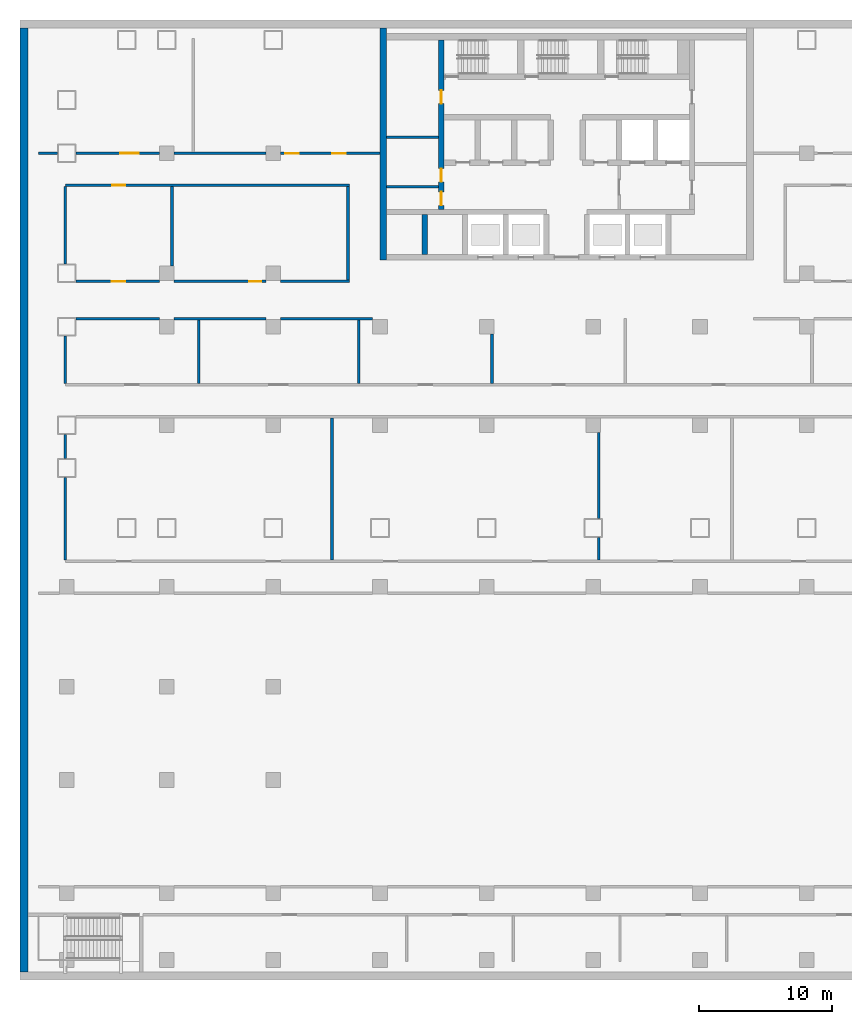
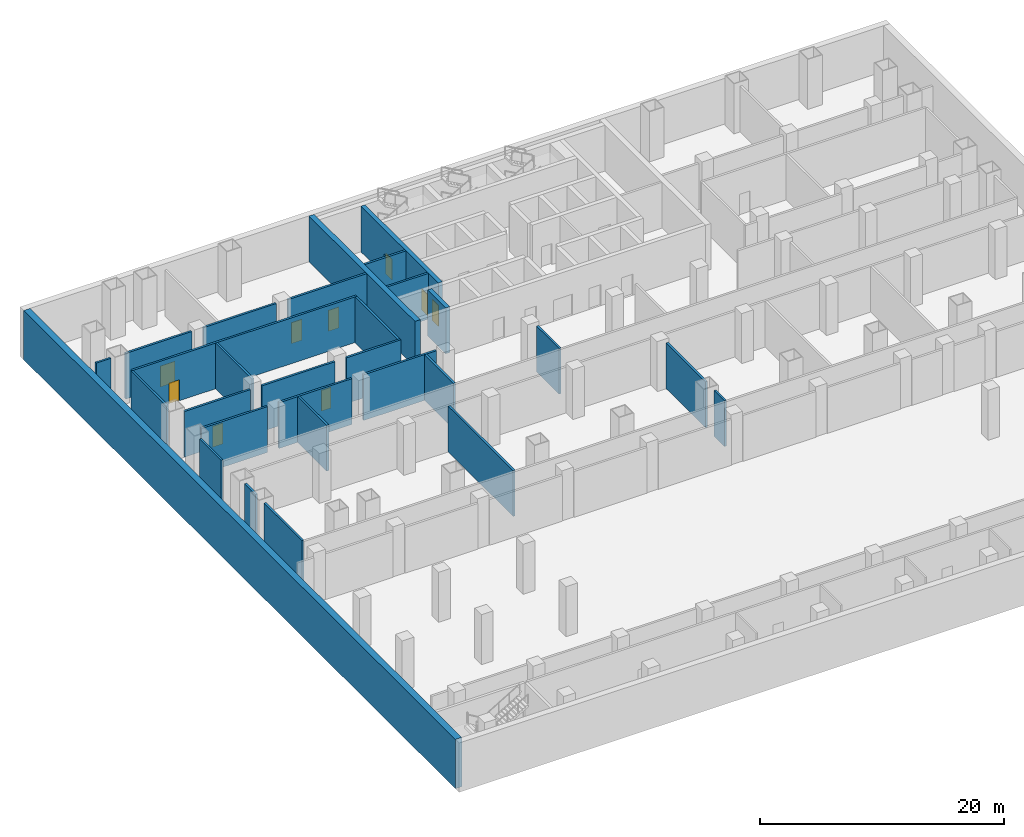
# One storey, part 4 of 12: 29 walls, 9 doors, 9 openings.
"""IFC4 building model written with IfcOpenShell, lengths in metres."""

import ifcopenshell
import ifcopenshell.guid

model = None  # the IFC model being written
_history = None  # IfcOwnerHistory: only IFC2X3 demands one
_inside = {}  # id of a spatial element -> (the spatial element, [elements in it])
_under = {}  # id of a project, library or spatial element -> (it, [spatial elements below it])
_declared = {}  # id of a project -> (the project, [libraries it declares])
_typed = {}  # id of a type object -> (the type object, [elements of that type])
_made_of = {}  # id of a material, layer set ... -> (it, [elements and type objects made of it])


def new_model(schema):
    """Start an empty IFC model of exactly this schema.

    Asked for "IFC4X3", IfcOpenShell would pick the latest addendum, in which some entities
    have other attributes; the version numbers below select the first issue.
    IFC2X3 requires an IfcOwnerHistory on every rooted entity: one is made here for all.
    """
    global model, _history
    if schema == "IFC4X3":
        model = ifcopenshell.file(schema_version=(4, 3, 0, 0))
    else:
        model = ifcopenshell.file(schema=schema)
    _inside.clear()
    _under.clear()
    _declared.clear()
    _typed.clear()
    _made_of.clear()
    _history = None
    if model.schema == "IFC2X3":
        org = make("IfcOrganization", Name="unknown")
        user = make(
            "IfcPersonAndOrganization",
            ThePerson=make("IfcPerson", FamilyName="unknown"),
            TheOrganization=org,
        )
        app = make(
            "IfcApplication",
            ApplicationDeveloper=org,
            Version="unknown",
            ApplicationFullName="unknown",
            ApplicationIdentifier="unknown",
        )
        _history = make(
            "IfcOwnerHistory",
            OwningUser=user,
            OwningApplication=app,
            ChangeAction="ADDED",
            CreationDate=0,
        )
    return model


def make(cls, **values):
    """One entity of the class cls with the attributes given. An attribute that is None is left unset."""
    return model.create_entity(
        cls, **{name: value for name, value in values.items() if value is not None}
    )


def rooted(cls, **values):
    """An entity with a GlobalId (a new one), such as an element, a storey or a relation."""
    return make(cls, GlobalId=ifcopenshell.guid.new(), OwnerHistory=_history, **values)


def si_unit(unit_type, name, prefix=None):
    """IfcSIUnit, for example si_unit("LENGTHUNIT", "METRE", prefix="MILLI")."""
    return make("IfcSIUnit", UnitType=unit_type, Prefix=prefix, Name=name)


def assignment(units):
    """IfcUnitAssignment: the units of a project."""
    return None if units is None else make("IfcUnitAssignment", Units=units)


def point(xyz):
    """IfcCartesianPoint."""
    return None if xyz is None else make("IfcCartesianPoint", Coordinates=xyz)


def direction(xyz):
    """IfcDirection."""
    return None if xyz is None else make("IfcDirection", DirectionRatios=xyz)


def frame(location, z_axis=None, x_axis=None):
    """IfcAxis2Placement3D, a coordinate frame: its origin and axes. An axis left out is left unset."""
    return make(
        "IfcAxis2Placement3D",
        Location=point(location),
        Axis=direction(z_axis),
        RefDirection=direction(x_axis),
    )


def frame_2d(location, x_axis=None):
    """IfcAxis2Placement2D, a coordinate frame in the plane: its origin and x axis."""
    return make(
        "IfcAxis2Placement2D", Location=point(location), RefDirection=direction(x_axis)
    )


def origin():
    """The frame at (0, 0, 0) with its axes left unset."""
    return frame((0.0, 0.0, 0.0))


def place(relative_to, where):
    """IfcLocalPlacement: puts the frame where relative to a parent placement (None: the world)."""
    return make(
        "IfcLocalPlacement", PlacementRelTo=relative_to, RelativePlacement=where
    )


def context(
    kind, dimensions, precision=None, world=None, true_north=None, identifier=None
):
    """IfcGeometricRepresentationContext, for example the 3D "Model" context."""
    return make(
        "IfcGeometricRepresentationContext",
        ContextIdentifier=identifier,
        ContextType=kind,
        CoordinateSpaceDimension=dimensions,
        Precision=precision,
        WorldCoordinateSystem=world,
        TrueNorth=true_north,
    )


def subcontext(parent, identifier, kind, view, scale=None):
    """IfcGeometricRepresentationSubContext, for example "Body" below "Model"."""
    return make(
        "IfcGeometricRepresentationSubContext",
        ContextIdentifier=identifier,
        ContextType=kind,
        ParentContext=parent,
        TargetScale=scale,
        TargetView=view,
    )


def project(units=None, contexts=None):
    """IfcProject with its units and contexts."""
    return rooted(
        "IfcProject",
        Name="project",
        RepresentationContexts=contexts,
        UnitsInContext=assignment(units),
    )


def spatial(cls, under=None, at=None, **own):
    """A site, building, storey or space (cls), placed at a placement, below another one or the project."""
    s = rooted(cls, ObjectPlacement=at, **own)
    if under is not None:
        _under.setdefault(under.id(), (under, []))[1].append(s)
    return s


def profile(cls, at=None, kind="AREA", **sizes):
    """A parametric profile (cls). Its sizes go by their IFC names, for example OverallWidth=200.0."""
    return make(cls, ProfileType=kind, Position=at, **sizes)


def rectangle(**sizes):
    """IfcRectangleProfileDef."""
    return profile("IfcRectangleProfileDef", **sizes)


def extrude(swept, where, along, depth):
    """IfcExtrudedAreaSolid: the profile swept, set in the frame where, extruded along a direction by depth."""
    return make(
        "IfcExtrudedAreaSolid",
        SweptArea=swept,
        Position=where,
        ExtrudedDirection=direction(along),
        Depth=depth,
    )


def shape(context_of_items, identifier, shape_type, items):
    """IfcShapeRepresentation: the items that make up one representation, for example the "Body"."""
    return make(
        "IfcShapeRepresentation",
        ContextOfItems=context_of_items,
        RepresentationIdentifier=identifier,
        RepresentationType=shape_type,
        Items=items,
    )


def material(Name=None, Category=None):
    """IfcMaterial."""
    return make("IfcMaterial", Name=Name, Category=Category)


def layer(
    of_material, thickness, ventilated=None, Name=None, Category=None, Priority=None
):
    """IfcMaterialLayer: one layer of a wall or slab, of a material (None: an air gap)."""
    return make(
        "IfcMaterialLayer",
        Material=of_material,
        LayerThickness=thickness,
        IsVentilated=ventilated,
        Name=Name,
        Category=Category,
        Priority=Priority,
    )


def layer_set(layers, Name=None):
    """IfcMaterialLayerSet."""
    return make("IfcMaterialLayerSet", MaterialLayers=layers, LayerSetName=Name)


def made_of(thing, what):
    """Note that an element or type object is made of a material, layer set ...; save() writes the relation."""
    if what is not None:
        _made_of.setdefault(what.id(), (what, []))[1].append(thing)
    return thing


def type_object(cls, material=None, **own):
    """A type object (cls), such as IfcWallType, which elements share."""
    return made_of(rooted(cls, **own), material)


def element(
    cls,
    number,
    at=None,
    inside=None,
    cuts=None,
    type_object=None,
    material=None,
    context=None,
    identifier="Body",
    shape_type=None,
    held_by="IfcProductDefinitionShape",
    body=None,
    shapes=None,
    **own,
):
    """One element of the class cls, such as IfcWall. Its Tag is "e" and its number.

    at: its placement. inside: the storey or other place that contains it. cuts: it is an
    opening in that element (IfcRelVoidsElement). A single representation is given by context,
    identifier, shape_type and body (its items); several are given by shapes. held_by: the class
    of the entity that holds the representations. save() writes the other relations.
    """
    e = rooted(cls, Tag="e%d" % number, ObjectPlacement=at, **own)
    if body is not None:
        shapes = [shape(context, identifier, shape_type, body)]
    if shapes is not None:
        e.Representation = make(held_by, Representations=shapes)
    if inside is not None:
        _inside.setdefault(inside.id(), (inside, []))[1].append(e)
    if cuts is not None:
        rooted(
            "IfcRelVoidsElement", RelatingBuildingElement=cuts, RelatedOpeningElement=e
        )
    if type_object is not None:
        _typed.setdefault(type_object.id(), (type_object, []))[1].append(e)
    return made_of(e, material)


def fill(opening, filler):
    """IfcRelFillsElement: the door or window that sits in an opening."""
    return rooted(
        "IfcRelFillsElement",
        RelatingOpeningElement=opening,
        RelatedBuildingElement=filler,
    )


def aggregate(whole, parts):
    """IfcRelAggregates: a whole, such as a stair, and the parts it consists of."""
    return rooted("IfcRelAggregates", RelatingObject=whole, RelatedObjects=parts)


def save(model, path):
    """Write the relations noted so far, then the file.

    IfcRelAggregates (storeys below a building ...), IfcRelContainedInSpatialStructure (elements
    in a storey), IfcRelDefinesByType, IfcRelAssociatesMaterial and IfcRelDeclares: one each for
    every whole, place, type object, material and project.
    """
    for whole, parts in _under.values():
        aggregate(whole, parts)
    for where, things in _inside.values():
        rooted(
            "IfcRelContainedInSpatialStructure",
            RelatedElements=things,
            RelatingStructure=where,
        )
    for kind, things in _typed.values():
        rooted("IfcRelDefinesByType", RelatedObjects=things, RelatingType=kind)
    for what, things in _made_of.values():
        rooted("IfcRelAssociatesMaterial", RelatedObjects=things, RelatingMaterial=what)
    for by, libraries in _declared.values():
        rooted("IfcRelDeclares", RelatingContext=by, RelatedDefinitions=libraries)
    model.write(path)


model = new_model("IFC4")

# Units and contexts
model_context = context("Model", 3, precision=1e-05, world=origin(), true_north=direction((0.0, 1.0)))
body_context = subcontext(model_context, "Body", "Model", "MODEL_VIEW")
ifc_project = project(units=[si_unit("LENGTHUNIT", "METRE"), si_unit("AREAUNIT", "SQUARE_METRE"), si_unit("VOLUMEUNIT", "CUBIC_METRE"), si_unit("PLANEANGLEUNIT", "RADIAN"), si_unit("MASSUNIT", "GRAM", prefix="KILO")], contexts=[model_context])

# Site, building, storey
site_placement = place(None, origin())
site = spatial("IfcSite", under=ifc_project, at=site_placement, CompositionType="ELEMENT")
building_placement = place(site_placement, origin())
building = spatial("IfcBuilding", under=site, at=building_placement, Name="Vidyagriha Tower", CompositionType="ELEMENT")
storey_placement = place(building_placement, frame((0.0, 0.0, -5.0)))
storey = spatial("IfcBuildingStorey", under=building, at=storey_placement, Name="B1", CompositionType="ELEMENT", Elevation=-5.0)

# Wall
ifc_material_1 = material(Name="Concrete C50/60", Category="concrete")
ifc_layer_1 = layer(ifc_material_1, 0.60009765625)
ifc_layer_set_1 = layer_set([ifc_layer_1], Name="Concrete C50/60")
wall_type_1 = type_object("IfcWallType", Name="Basement retaining wall 600", PredefinedType="SOLIDWALL", material=ifc_layer_set_1)
wall_1_placement = place(storey_placement, frame((-40.699951171875, -50.39990234375, -0.35009765625), z_axis=(0.0, 0.0, 1.0), x_axis=(0.0, 1.0, 0.0)))
element("IfcWall", 1, at=wall_1_placement, inside=storey, type_object=wall_type_1, Name="st-retwall-B1-w", PredefinedType="SOLIDWALL", context=body_context, shape_type="SweptSolid", body=[
    extrude(rectangle(XDim=70.7998046875, YDim=0.60009765625, at=frame_2d((35.39990234375, 0.0))), origin(), (0.0, 0.0, 1.0), 4.93017578125),
])

# Wall, openings, doors
ifc_material_2 = material(Name="Concrete C60/75", Category="concrete")
ifc_layer_2 = layer(ifc_material_2, 0.39990234375)
ifc_layer_set_2 = layer_set([ifc_layer_2], Name="Concrete C60/75")
wall_type_2 = type_object("IfcWallType", Name="Core shear wall 400 mm", PredefinedType="SHEAR", material=ifc_layer_set_2)
wall_2_placement = place(storey_placement, frame((-9.39990234375, 6.800048828125, 0.0), z_axis=(0.0, 0.0, 1.0), x_axis=(0.0, 1.0, 0.0)))
wall_2 = element("IfcWall", 2, at=wall_2_placement, inside=storey, type_object=wall_type_2, Name="Core west spine wall", PredefinedType="SHEAR", context=body_context, shape_type="SweptSolid", body=[
    extrude(rectangle(XDim=12.699951171875, YDim=0.39990234375, at=frame_2d((6.35009765625, 0.0))), origin(), (0.0, 0.0, 1.0), 4.580078125),
])
opening_1_placement = place(wall_2_placement, frame((0.300048828125, 0.0, 0.0)))
opening_1 = element("IfcOpeningElement", 3, at=opening_1_placement, cuts=wall_2, Name="Opening DB1-10", PredefinedType="OPENING", context=body_context, shape_type="SweptSolid", body=[
    extrude(rectangle(XDim=1.0, YDim=2.10009765625, at=frame_2d((0.5, 1.050048828125))), frame((0.0, 0.2099609375, 0.0), z_axis=(0.0, -1.0, 0.0), x_axis=(1.0, 0.0, 0.0)), (0.0, 0.0, 1.0), 0.419921875),
])
opening_2_placement = place(wall_2_placement, frame((2.050048828125, 0.0, 0.0)))
opening_2 = element("IfcOpeningElement", 4, at=opening_2_placement, cuts=wall_2, Name="Opening DB1-11", PredefinedType="OPENING", context=body_context, shape_type="SweptSolid", body=[
    extrude(rectangle(XDim=1.0, YDim=2.10009765625, at=frame_2d((0.5, 1.050048828125))), frame((0.0, 0.2099609375, 0.0), z_axis=(0.0, -1.0, 0.0), x_axis=(1.0, 0.0, 0.0)), (0.0, 0.0, 1.0), 0.419921875),
])
opening_3_placement = place(wall_2_placement, frame((7.925048828125, 0.0, 0.0)))
opening_3 = element("IfcOpeningElement", 5, at=opening_3_placement, cuts=wall_2, Name="Opening DB1-12", PredefinedType="OPENING", context=body_context, shape_type="SweptSolid", body=[
    extrude(rectangle(XDim=1.0, YDim=2.10009765625, at=frame_2d((0.5, 1.050048828125))), frame((0.0, 0.2099609375, 0.0), z_axis=(0.0, -1.0, 0.0), x_axis=(1.0, 0.0, 0.0)), (0.0, 0.0, 1.0), 0.419921875),
])
ifc_material_3 = material(Name="Hollow metal door leaf")
door_type_1 = type_object("IfcDoorType", Name="Core room door 1000 x 2100 mm EI 60", OperationType="NOTDEFINED", PredefinedType="DOOR", material=ifc_material_3)
door_1_placement = place(opening_1_placement, frame((1.0, 0.0, 0.0), z_axis=(0.0, 0.0, 1.0), x_axis=(-1.0, 0.0, 0.0)))
door_1 = element("IfcDoor", 6, at=door_1_placement, inside=storey, type_object=door_type_1, Name="Door Communications Room B1.W1", OperationType="SINGLE_SWING_RIGHT", OverallHeight=2.10009765625, OverallWidth=1.0, PredefinedType="DOOR", context=body_context, shape_type="SweptSolid", body=[
    extrude(rectangle(XDim=1.0, YDim=2.10009765625, at=frame_2d((0.5, 1.050048828125))), frame((0.0, 0.02490234375, 0.0), z_axis=(0.0, -1.0, 0.0), x_axis=(1.0, 0.0, 0.0)), (0.0, 0.0, 1.0), 0.050048828125),
])
fill(opening_1, door_1)
door_2_placement = place(opening_2_placement, frame((1.0, 0.0, 0.0), z_axis=(0.0, 0.0, 1.0), x_axis=(-1.0, 0.0, 0.0)))
door_2 = element("IfcDoor", 7, at=door_2_placement, inside=storey, type_object=door_type_1, Name="Door Pressurisation Plant Room B1.W2", OperationType="SINGLE_SWING_LEFT", OverallHeight=2.10009765625, OverallWidth=1.0, PredefinedType="DOOR", context=body_context, shape_type="SweptSolid", body=[
    extrude(rectangle(XDim=1.0, YDim=2.10009765625, at=frame_2d((0.5, 1.050048828125))), frame((0.0, 0.02490234375, 0.0), z_axis=(0.0, -1.0, 0.0), x_axis=(1.0, 0.0, 0.0)), (0.0, 0.0, 1.0), 0.050048828125),
])
fill(opening_2, door_2)
door_3_placement = place(opening_3_placement, frame((1.0, 0.0, 0.0), z_axis=(0.0, 0.0, 1.0), x_axis=(-1.0, 0.0, 0.0)))
door_3 = element("IfcDoor", 8, at=door_3_placement, inside=storey, type_object=door_type_1, Name="Door Switchgear Room B1.W3", OperationType="SINGLE_SWING_LEFT", OverallHeight=2.10009765625, OverallWidth=1.0, PredefinedType="DOOR", context=body_context, shape_type="SweptSolid", body=[
    extrude(rectangle(XDim=1.0, YDim=2.10009765625, at=frame_2d((0.5, 1.050048828125))), frame((0.0, 0.02490234375, 0.0), z_axis=(0.0, -1.0, 0.0), x_axis=(1.0, 0.0, 0.0)), (0.0, 0.0, 1.0), 0.050048828125),
])
fill(opening_3, door_3)

# Walls
wall_3_placement = place(storey_placement, frame((-10.655517578125, 3.39990234375, 0.0), z_axis=(0.0, 0.0, 1.0), x_axis=(0.0, 1.0, 0.0)))
element("IfcWall", 9, at=wall_3_placement, inside=storey, type_object=wall_type_2, Name="Core bay wall S1", PredefinedType="SHEAR", context=body_context, shape_type="SweptSolid", body=[
    extrude(rectangle(XDim=3.0, YDim=0.39990234375, at=frame_2d((1.5, 0.0))), origin(), (0.0, 0.0, 1.0), 4.580078125),
])
ifc_material_4 = material(Name="Concrete C60/75", Category="concrete")
ifc_layer_3 = layer(ifc_material_4, 0.5)
ifc_layer_set_3 = layer_set([ifc_layer_3], Name="Concrete C60/75")
wall_type_3 = type_object("IfcWallType", Name="Core shear wall 500 mm", PredefinedType="SHEAR", material=ifc_layer_set_3)
wall_4_placement = place(storey_placement, frame((-13.75, 3.0, 0.0), z_axis=(0.0, 0.0, 1.0), x_axis=(0.0, 1.0, 0.0)))
element("IfcWall", 10, at=wall_4_placement, inside=storey, type_object=wall_type_3, Name="Core west wall", PredefinedType="SHEAR", context=body_context, shape_type="SweptSolid", body=[
    extrude(rectangle(XDim=17.39990234375, YDim=0.5, at=frame_2d((8.699951171875, 0.0))), origin(), (0.0, 0.0, 1.0), 4.580078125),
])
ifc_material_5 = material(Name="Fire rated gypsum board on light gauge framing")
ifc_layer_4 = layer(ifc_material_5, 0.199951171875)
ifc_layer_set_4 = layer_set([ifc_layer_4], Name="Fire rated gypsum board on light gauge framing")
wall_type_4 = type_object("IfcWallType", Name="Fire Rated Corridor Wall 200", PredefinedType="PARTITIONING", material=ifc_layer_set_4)
wall_5_placement = place(storey_placement, frame((-36.800048828125, -1.39990234375, 0.0)))
element("IfcWall", 11, at=wall_5_placement, inside=storey, type_object=wall_type_4, Name="B1 Fire Rated Corridor Wall 200 032", PredefinedType="PARTITIONING", context=body_context, shape_type="SweptSolid", body=[
    extrude(rectangle(XDim=6.25, YDim=0.199951171875, at=frame_2d((3.125, 0.0))), origin(), (0.0, 0.0, 1.0), 4.580078125),
])
for number, where, name in (
    (12, (-29.449951171875, -1.39990234375, 0.0), "B1 Fire Rated Corridor Wall 200 033"),
    (13, (-21.449951171875, -1.39990234375, 0.0), "B1 Fire Rated Corridor Wall 200 034"),
):
    element("IfcWall", number, at=place(storey_placement, frame(where)), inside=storey, type_object=wall_type_4, Name=name, PredefinedType="PARTITIONING", context=body_context, shape_type="SweptSolid", body=[
        extrude(rectangle(XDim=6.89990234375, YDim=0.199951171875, at=frame_2d((3.449951171875, 0.0))), origin(), (0.0, 0.0, 1.0), 4.580078125),
    ])

# Wall, opening, door
wall_6_placement = place(storey_placement, frame((-36.800048828125, 1.39990234375, 0.0)))
wall_6 = element("IfcWall", 14, at=wall_6_placement, inside=storey, type_object=wall_type_4, Name="B1 Fire Rated Corridor Wall 200 039", PredefinedType="PARTITIONING", context=body_context, shape_type="SweptSolid", body=[
    extrude(rectangle(XDim=6.25, YDim=0.199951171875, at=frame_2d((3.125, 0.0))), origin(), (0.0, 0.0, 1.0), 4.580078125),
])
opening_4_placement = place(wall_6_placement, frame((2.699951171875, 0.0, 0.0)))
opening_4 = element("IfcOpeningElement", 15, at=opening_4_placement, cuts=wall_6, Name="Opening DB1-32", PredefinedType="OPENING", context=body_context, shape_type="SweptSolid", body=[
    extrude(rectangle(XDim=1.0, YDim=2.10009765625, at=frame_2d((0.5, 1.050048828125))), frame((0.0, 0.10986328125, 0.0), z_axis=(0.0, -1.0, 0.0), x_axis=(1.0, 0.0, 0.0)), (0.0, 0.0, 1.0), 0.219970703125),
])
ifc_material_6 = material(Name="Steel fire door set", Category="steel")
door_type_2 = type_object("IfcDoorType", Name="Podium Door 1000x2100 EI 60", OperationType="NOTDEFINED", PredefinedType="DOOR", material=ifc_material_6)
door_4_placement = place(opening_4_placement, origin())
door_4 = element("IfcDoor", 16, at=door_4_placement, inside=storey, type_object=door_type_2, Name="B1 door DB1-32", OperationType="SINGLE_SWING_RIGHT", OverallHeight=2.10009765625, OverallWidth=1.0, PredefinedType="DOOR", context=body_context, shape_type="SweptSolid", body=[
    extrude(rectangle(XDim=1.0, YDim=2.10009765625, at=frame_2d((0.5, 1.050048828125))), frame((0.0, 0.02490234375, 0.0), z_axis=(0.0, -1.0, 0.0), x_axis=(1.0, 0.0, 0.0)), (0.0, 0.0, 1.0), 0.050048828125),
])
fill(opening_4, door_4)

wall_7_placement = place(storey_placement, frame((-29.449951171875, 1.39990234375, 0.0)))
wall_7 = element("IfcWall", 17, at=wall_7_placement, inside=storey, type_object=wall_type_4, Name="B1 Fire Rated Corridor Wall 200 040", PredefinedType="PARTITIONING", context=body_context, shape_type="SweptSolid", body=[
    extrude(rectangle(XDim=6.89990234375, YDim=0.199951171875, at=frame_2d((3.449951171875, 0.0))), origin(), (0.0, 0.0, 1.0), 4.580078125),
])
opening_5_placement = place(wall_7_placement, frame((5.64990234375, 0.0, 0.0)))
opening_5 = element("IfcOpeningElement", 18, at=opening_5_placement, cuts=wall_7, Name="Opening DB1-34", PredefinedType="OPENING", context=body_context, shape_type="SweptSolid", body=[
    extrude(rectangle(XDim=0.89990234375, YDim=2.10009765625, at=frame_2d((0.449951171875, 1.050048828125))), frame((0.0, 0.10986328125, 0.0), z_axis=(0.0, -1.0, 0.0), x_axis=(1.0, 0.0, 0.0)), (0.0, 0.0, 1.0), 0.219970703125),
])
ifc_material_7 = material(Name="Steel fire door set", Category="steel")
door_type_3 = type_object("IfcDoorType", Name="Podium Door 900x2100 EI 30", OperationType="NOTDEFINED", PredefinedType="DOOR", material=ifc_material_7)
door_5_placement = place(opening_5_placement, origin())
door_5 = element("IfcDoor", 19, at=door_5_placement, inside=storey, type_object=door_type_3, Name="B1 door DB1-34", OperationType="SINGLE_SWING_RIGHT", OverallHeight=2.10009765625, OverallWidth=0.89990234375, PredefinedType="DOOR", context=body_context, shape_type="SweptSolid", body=[
    extrude(rectangle(XDim=0.89990234375, YDim=2.10009765625, at=frame_2d((0.449951171875, 1.050048828125))), frame((0.0, 0.02490234375, 0.0), z_axis=(0.0, -1.0, 0.0), x_axis=(1.0, 0.0, 0.0)), (0.0, 0.0, 1.0), 0.050048828125),
])
fill(opening_5, door_5)

# Wall
wall_8_placement = place(storey_placement, frame((-21.449951171875, 1.39990234375, 0.0)))
element("IfcWall", 20, at=wall_8_placement, inside=storey, type_object=wall_type_4, Name="B1 Fire Rated Corridor Wall 200 041", PredefinedType="PARTITIONING", context=body_context, shape_type="SweptSolid", body=[
    extrude(rectangle(XDim=5.14990234375, YDim=0.199951171875, at=frame_2d((2.574951171875, 0.0))), origin(), (0.0, 0.0, 1.0), 4.580078125),
])

# Wall, opening, door
wall_9_placement = place(storey_placement, frame((-37.599853515625, 8.60009765625, 0.0)))
wall_9 = element("IfcWall", 21, at=wall_9_placement, inside=storey, type_object=wall_type_4, Name="B1 Fire Rated Corridor Wall 200 046", PredefinedType="PARTITIONING", context=body_context, shape_type="SweptSolid", body=[
    extrude(rectangle(XDim=21.2998046875, YDim=0.199951171875, at=frame_2d((10.64990234375, 0.0))), origin(), (0.0, 0.0, 1.0), 4.580078125),
])
opening_6_placement = place(wall_9_placement, frame((3.5, 0.0, 0.0)))
opening_6 = element("IfcOpeningElement", 22, at=opening_6_placement, cuts=wall_9, Name="Opening DB1-33", PredefinedType="OPENING", context=body_context, shape_type="SweptSolid", body=[
    extrude(rectangle(XDim=1.0, YDim=2.10009765625, at=frame_2d((0.5, 1.050048828125))), frame((0.0, 0.10986328125, 0.0), z_axis=(0.0, -1.0, 0.0), x_axis=(1.0, 0.0, 0.0)), (0.0, 0.0, 1.0), 0.219970703125),
])
door_6_placement = place(opening_6_placement, frame((1.0, 0.0, 0.0), z_axis=(0.0, 0.0, 1.0), x_axis=(-1.0, 0.0, 0.0)))
door_6 = element("IfcDoor", 23, at=door_6_placement, inside=storey, type_object=door_type_2, Name="B1 door DB1-33", OperationType="SINGLE_SWING_LEFT", OverallHeight=2.10009765625, OverallWidth=1.0, PredefinedType="DOOR", context=body_context, shape_type="SweptSolid", body=[
    extrude(rectangle(XDim=1.0, YDim=2.10009765625, at=frame_2d((0.5, 1.050048828125))), frame((0.0, 0.02490234375, 0.0), z_axis=(0.0, -1.0, 0.0), x_axis=(1.0, 0.0, 0.0)), (0.0, 0.0, 1.0), 0.050048828125),
])
fill(opening_6, door_6)

# Wall
wall_10_placement = place(storey_placement, frame((-39.60009765625, 11.0, 0.0)))
element("IfcWall", 24, at=wall_10_placement, inside=storey, type_object=wall_type_4, Name="B1 Fire Rated Corridor Wall 200 048", PredefinedType="PARTITIONING", context=body_context, shape_type="SweptSolid", body=[
    extrude(rectangle(XDim=1.400146484375, YDim=0.199951171875, at=frame_2d((0.7001953125, 0.0))), origin(), (0.0, 0.0, 1.0), 4.580078125),
])

# Wall, opening, door
wall_11_placement = place(storey_placement, frame((-36.800048828125, 11.0, 0.0)))
wall_11 = element("IfcWall", 25, at=wall_11_placement, inside=storey, type_object=wall_type_4, Name="B1 Fire Rated Corridor Wall 200 049", PredefinedType="PARTITIONING", context=body_context, shape_type="SweptSolid", body=[
    extrude(rectangle(XDim=6.25, YDim=0.199951171875, at=frame_2d((3.125, 0.0))), origin(), (0.0, 0.0, 1.0), 4.580078125),
])
opening_7_placement = place(wall_11_placement, frame((3.300048828125, 0.0, 0.0)))
opening_7 = element("IfcOpeningElement", 26, at=opening_7_placement, cuts=wall_11, Name="Opening DB1-38", PredefinedType="OPENING", context=body_context, shape_type="SweptSolid", body=[
    extrude(rectangle(XDim=1.39990234375, YDim=2.10009765625, at=frame_2d((0.699951171875, 1.050048828125))), frame((0.0, 0.10986328125, 0.0), z_axis=(0.0, -1.0, 0.0), x_axis=(1.0, 0.0, 0.0)), (0.0, 0.0, 1.0), 0.219970703125),
])
ifc_material_8 = material(Name="Steel fire door set", Category="steel")
door_type_4 = type_object("IfcDoorType", Name="Podium Door 1400x2100 EI 60 Pair", OperationType="NOTDEFINED", PredefinedType="DOOR", material=ifc_material_8)
door_7_placement = place(opening_7_placement, frame((1.39990234375, 0.0, 0.0), z_axis=(0.0, 0.0, 1.0), x_axis=(-1.0, 0.0, 0.0)))
door_7 = element("IfcDoor", 27, at=door_7_placement, inside=storey, type_object=door_type_4, Name="B1 door DB1-38", OperationType="DOUBLE_DOOR_SINGLE_SWING", OverallHeight=2.10009765625, OverallWidth=1.39990234375, PredefinedType="DOOR", context=body_context, shape_type="SweptSolid", body=[
    extrude(rectangle(XDim=1.39990234375, YDim=2.10009765625, at=frame_2d((0.699951171875, 1.050048828125))), frame((0.0, 0.02490234375, 0.0), z_axis=(0.0, -1.0, 0.0), x_axis=(1.0, 0.0, 0.0)), (0.0, 0.0, 1.0), 0.050048828125),
])
fill(opening_7, door_7)

# Wall
wall_12_placement = place(storey_placement, frame((-29.449951171875, 11.0, 0.0)))
element("IfcWall", 28, at=wall_12_placement, inside=storey, type_object=wall_type_4, Name="B1 Fire Rated Corridor Wall 200 050", PredefinedType="PARTITIONING", context=body_context, shape_type="SweptSolid", body=[
    extrude(rectangle(XDim=6.89990234375, YDim=0.199951171875, at=frame_2d((3.449951171875, 0.0))), origin(), (0.0, 0.0, 1.0), 4.580078125),
])

# Wall, openings, doors
wall_13_placement = place(storey_placement, frame((-21.449951171875, 11.0, 0.0)))
wall_13 = element("IfcWall", 29, at=wall_13_placement, inside=storey, type_object=wall_type_4, Name="B1 Fire Rated Corridor Wall 200 051", PredefinedType="PARTITIONING", context=body_context, shape_type="SweptSolid", body=[
    extrude(rectangle(XDim=7.449951171875, YDim=0.199951171875, at=frame_2d((3.72509765625, 0.0))), origin(), (0.0, 0.0, 1.0), 4.580078125),
])
opening_8_placement = place(wall_13_placement, frame((0.35009765625, 0.0, 0.0)))
opening_8 = element("IfcOpeningElement", 30, at=opening_8_placement, cuts=wall_13, Name="Opening DB1-39", PredefinedType="OPENING", context=body_context, shape_type="SweptSolid", body=[
    extrude(rectangle(XDim=1.0, YDim=2.10009765625, at=frame_2d((0.5, 1.050048828125))), frame((0.0, 0.10986328125, 0.0), z_axis=(0.0, -1.0, 0.0), x_axis=(1.0, 0.0, 0.0)), (0.0, 0.0, 1.0), 0.219970703125),
])
opening_9_placement = place(wall_13_placement, frame((3.8701171875, 0.0, 0.0)))
opening_9 = element("IfcOpeningElement", 31, at=opening_9_placement, cuts=wall_13, Name="Opening DB1-40", PredefinedType="OPENING", context=body_context, shape_type="SweptSolid", body=[
    extrude(rectangle(XDim=1.0, YDim=2.10009765625, at=frame_2d((0.5, 1.050048828125))), frame((0.0, 0.10986328125, 0.0), z_axis=(0.0, -1.0, 0.0), x_axis=(1.0, 0.0, 0.0)), (0.0, 0.0, 1.0), 0.219970703125),
])
door_8_placement = place(opening_8_placement, origin())
door_8 = element("IfcDoor", 32, at=door_8_placement, inside=storey, type_object=door_type_2, Name="B1 door DB1-39", OperationType="SINGLE_SWING_LEFT", OverallHeight=2.10009765625, OverallWidth=1.0, PredefinedType="DOOR", context=body_context, shape_type="SweptSolid", body=[
    extrude(rectangle(XDim=1.0, YDim=2.10009765625, at=frame_2d((0.5, 1.050048828125))), frame((0.0, 0.02490234375, 0.0), z_axis=(0.0, -1.0, 0.0), x_axis=(1.0, 0.0, 0.0)), (0.0, 0.0, 1.0), 0.050048828125),
])
fill(opening_8, door_8)
door_9_placement = place(opening_9_placement, origin())
door_9 = element("IfcDoor", 33, at=door_9_placement, inside=storey, type_object=door_type_2, Name="B1 door DB1-40", OperationType="SINGLE_SWING_RIGHT", OverallHeight=2.10009765625, OverallWidth=1.0, PredefinedType="DOOR", context=body_context, shape_type="SweptSolid", body=[
    extrude(rectangle(XDim=1.0, YDim=2.10009765625, at=frame_2d((0.5, 1.050048828125))), frame((0.0, 0.02490234375, 0.0), z_axis=(0.0, -1.0, 0.0), x_axis=(1.0, 0.0, 0.0)), (0.0, 0.0, 1.0), 0.050048828125),
])
fill(opening_9, door_9)

# Walls
wall_14_placement = place(storey_placement, frame((-37.60009765625, -19.5, 0.0), z_axis=(0.0, 0.0, 1.0), x_axis=(0.0, 1.0, 0.0)))
element("IfcWall", 34, at=wall_14_placement, inside=storey, type_object=wall_type_4, Name="B1 Fire Rated Corridor Wall 200 057", PredefinedType="PARTITIONING", context=body_context, shape_type="SweptSolid", body=[
    extrude(rectangle(XDim=6.199951171875, YDim=0.199951171875, at=frame_2d((3.10009765625, 0.0))), origin(), (0.0, 0.0, 1.0), 4.580078125),
])
wall_15_placement = place(storey_placement, frame((-37.60009765625, -11.89990234375, 0.0), z_axis=(0.0, 0.0, 1.0), x_axis=(0.0, 1.0, 0.0)))
element("IfcWall", 35, at=wall_15_placement, inside=storey, type_object=wall_type_4, Name="B1 Fire Rated Corridor Wall 200 058", PredefinedType="PARTITIONING", context=body_context, shape_type="SweptSolid", body=[
    extrude(rectangle(XDim=1.7998046875, YDim=0.199951171875, at=frame_2d((0.89990234375, 0.0))), origin(), (0.0, 0.0, 1.0), 4.580078125),
])
wall_16_placement = place(storey_placement, frame((-37.60009765625, -6.25, 0.0), z_axis=(0.0, 0.0, 1.0), x_axis=(0.0, 1.0, 0.0)))
element("IfcWall", 36, at=wall_16_placement, inside=storey, type_object=wall_type_4, Name="B1 Fire Rated Corridor Wall 200 059", PredefinedType="PARTITIONING", context=body_context, shape_type="SweptSolid", body=[
    extrude(rectangle(XDim=3.550048828125, YDim=0.199951171875, at=frame_2d((1.77490234375, 0.0))), origin(), (0.0, 0.0, 1.0), 4.580078125),
])
wall_17_placement = place(storey_placement, frame((-37.60009765625, 2.699951171875, 0.0), z_axis=(0.0, 0.0, 1.0), x_axis=(0.0, 1.0, 0.0)))
element("IfcWall", 37, at=wall_17_placement, inside=storey, type_object=wall_type_4, Name="B1 Fire Rated Corridor Wall 200 060", PredefinedType="PARTITIONING", context=body_context, shape_type="SweptSolid", body=[
    extrude(rectangle(XDim=5.800048828125, YDim=0.199951171875, at=frame_2d((2.89990234375, 0.0))), origin(), (0.0, 0.0, 1.0), 4.580078125),
])
wall_18_placement = place(storey_placement, frame((-29.60009765625, 2.550048828125, 0.0), z_axis=(0.0, 0.0, 1.0), x_axis=(0.0, 1.0, 0.0)))
element("IfcWall", 38, at=wall_18_placement, inside=storey, type_object=wall_type_4, Name="B1 Fire Rated Corridor Wall 200 062", PredefinedType="PARTITIONING", context=body_context, shape_type="SweptSolid", body=[
    extrude(rectangle(XDim=5.949951171875, YDim=0.199951171875, at=frame_2d((2.97509765625, 0.0))), origin(), (0.0, 0.0, 1.0), 4.580078125),
])
wall_19_placement = place(storey_placement, frame((-27.60009765625, -6.25, 0.0), z_axis=(0.0, 0.0, 1.0), x_axis=(0.0, 1.0, 0.0)))
element("IfcWall", 39, at=wall_19_placement, inside=storey, type_object=wall_type_4, Name="B1 Fire Rated Corridor Wall 200 064", PredefinedType="PARTITIONING", context=body_context, shape_type="SweptSolid", body=[
    extrude(rectangle(XDim=4.75, YDim=0.199951171875, at=frame_2d((2.375, 0.0))), origin(), (0.0, 0.0, 1.0), 4.580078125),
])
wall_20_placement = place(storey_placement, frame((-17.60009765625, -19.5, 0.0), z_axis=(0.0, 0.0, 1.0), x_axis=(0.0, 1.0, 0.0)))
element("IfcWall", 40, at=wall_20_placement, inside=storey, type_object=wall_type_4, Name="B1 Fire Rated Corridor Wall 200 065", PredefinedType="PARTITIONING", context=body_context, shape_type="SweptSolid", body=[
    extrude(rectangle(XDim=10.64990234375, YDim=0.199951171875, at=frame_2d((5.324951171875, 0.0))), origin(), (0.0, 0.0, 1.0), 4.580078125),
])
wall_21_placement = place(storey_placement, frame((-16.39990234375, 1.5, 0.0), z_axis=(0.0, 0.0, 1.0), x_axis=(0.0, 1.0, 0.0)))
element("IfcWall", 41, at=wall_21_placement, inside=storey, type_object=wall_type_4, Name="B1 Fire Rated Corridor Wall 200 066", PredefinedType="PARTITIONING", context=body_context, shape_type="SweptSolid", body=[
    extrude(rectangle(XDim=7.0, YDim=0.199951171875, at=frame_2d((3.5, 0.0))), origin(), (0.0, 0.0, 1.0), 4.580078125),
])
wall_22_placement = place(storey_placement, frame((-15.60009765625, -6.25, 0.0), z_axis=(0.0, 0.0, 1.0), x_axis=(0.0, 1.0, 0.0)))
element("IfcWall", 42, at=wall_22_placement, inside=storey, type_object=wall_type_4, Name="B1 Fire Rated Corridor Wall 200 067", PredefinedType="PARTITIONING", context=body_context, shape_type="SweptSolid", body=[
    extrude(rectangle(XDim=4.75, YDim=0.199951171875, at=frame_2d((2.375, 0.0))), origin(), (0.0, 0.0, 1.0), 4.580078125),
])
wall_23_placement = place(storey_placement, frame((-5.60009765625, -6.25, 0.0), z_axis=(0.0, 0.0, 1.0), x_axis=(0.0, 1.0, 0.0)))
element("IfcWall", 43, at=wall_23_placement, inside=storey, type_object=wall_type_4, Name="B1 Fire Rated Corridor Wall 200 069", PredefinedType="PARTITIONING", context=body_context, shape_type="SweptSolid", body=[
    extrude(rectangle(XDim=3.699951171875, YDim=0.199951171875, at=frame_2d((1.85009765625, 0.0))), origin(), (0.0, 0.0, 1.0), 4.580078125),
])
wall_24_placement = place(storey_placement, frame((2.39990234375, -19.5, 0.0), z_axis=(0.0, 0.0, 1.0), x_axis=(0.0, 1.0, 0.0)))
element("IfcWall", 44, at=wall_24_placement, inside=storey, type_object=wall_type_4, Name="B1 Fire Rated Corridor Wall 200 071", PredefinedType="PARTITIONING", context=body_context, shape_type="SweptSolid", body=[
    extrude(rectangle(XDim=1.699951171875, YDim=0.199951171875, at=frame_2d((0.85009765625, 0.0))), origin(), (0.0, 0.0, 1.0), 4.580078125),
])
wall_25_placement = place(storey_placement, frame((2.39990234375, -16.39990234375, 0.0), z_axis=(0.0, 0.0, 1.0), x_axis=(0.0, 1.0, 0.0)))
element("IfcWall", 45, at=wall_25_placement, inside=storey, type_object=wall_type_4, Name="B1 Fire Rated Corridor Wall 200 072", PredefinedType="PARTITIONING", context=body_context, shape_type="SweptSolid", body=[
    extrude(rectangle(XDim=6.449951171875, YDim=0.199951171875, at=frame_2d((3.22509765625, 0.0))), origin(), (0.0, 0.0, 1.0), 4.580078125),
])
ifc_material_9 = material(Name="Blockwork 15 MPa", Category="masonry")
ifc_layer_5 = layer(ifc_material_9, 0.199951171875)
ifc_layer_set_5 = layer_set([ifc_layer_5], Name="Blockwork 15 MPa")
wall_type_5 = type_object("IfcWallType", Name="Service room partition 200 mm", PredefinedType="PARTITIONING", material=ifc_layer_set_5)
for number, where, name in (
    (46, (-13.5, 8.5, 0.0), "Core room partition W1"),
    (47, (-13.5, 12.199951171875, 0.0), "Core room partition W2"),
):
    element("IfcWall", number, at=place(storey_placement, frame(where)), inside=storey, type_object=wall_type_5, Name=name, PredefinedType="PARTITIONING", context=body_context, shape_type="SweptSolid", body=[
        extrude(rectangle(XDim=3.89990234375, YDim=0.199951171875, at=frame_2d((1.949951171875, 0.0))), origin(), (0.0, 0.0, 1.0), 4.580078125),
    ])

save(model, "model.ifc")
